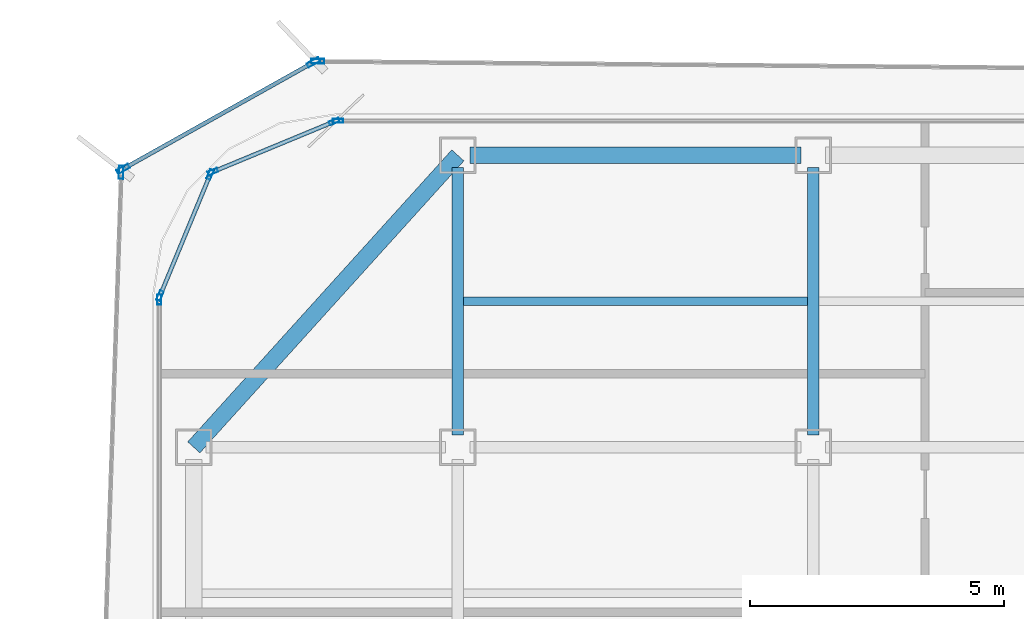
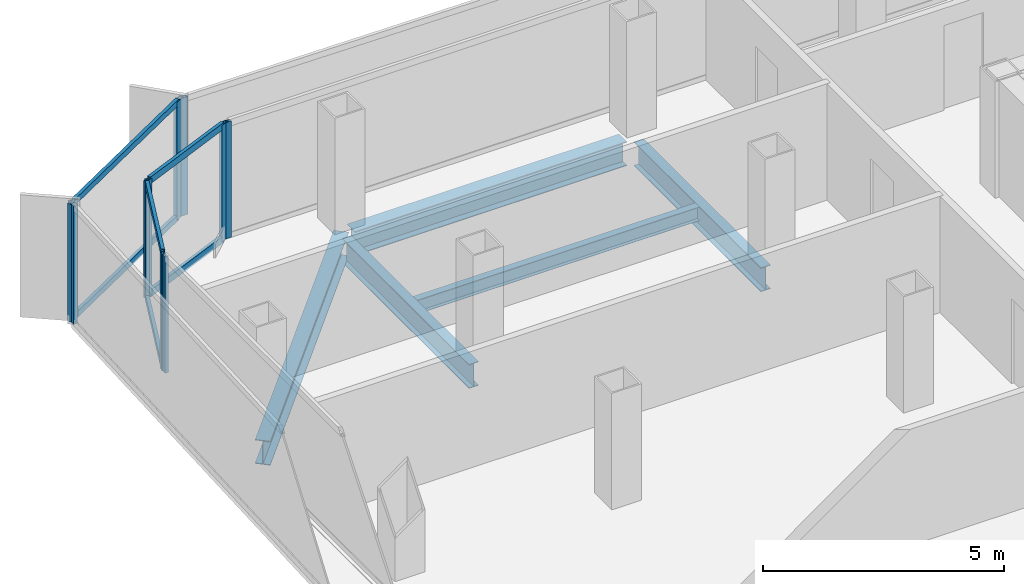
# One storey, part 6 of 15: 16 members, 5 beams, 7 elements without a shape of their own.
"""IFC4 building model written with IfcOpenShell, lengths in metres."""

from ifc_helpers import new_model, si_unit, direction, frame, origin, origin_2d, place, context, subcontext, project, spatial, hollow_rectangle, i_section, extrude, source, transform, mapped, material, layer, layer_set, material_profile, profile_set, type_object, element, aggregate, save


model = new_model("IFC4")

# Units and contexts
model_context = context("Model", 3, precision=1e-05, world=origin(), true_north=direction((0.0, 1.0)))
body_context = subcontext(model_context, "Body", "Model", "MODEL_VIEW")
ifc_project = project(units=[si_unit("LENGTHUNIT", "METRE"), si_unit("AREAUNIT", "SQUARE_METRE"), si_unit("VOLUMEUNIT", "CUBIC_METRE"), si_unit("PLANEANGLEUNIT", "RADIAN"), si_unit("MASSUNIT", "GRAM", prefix="KILO")], contexts=[model_context])

# Site, building, storey
site_placement = place(None, origin())
site = spatial("IfcSite", under=ifc_project, at=site_placement, CompositionType="ELEMENT")
building_placement = place(site_placement, origin())
building = spatial("IfcBuilding", under=site, at=building_placement, Name="Kolveth Station Tower", CompositionType="ELEMENT")
storey_placement = place(building_placement, frame((0.0, 0.0, 165.699951171875)))
storey = spatial("IfcBuildingStorey", under=building, at=storey_placement, Name="L46", CompositionType="ELEMENT", Elevation=165.699951171875)

# Beams
ifc_material_1 = material(Name="Steel S355", Category="steel")
ifc_material_profile_1 = material_profile(ifc_material_1, i_section(OverallWidth=0.323974609375, OverallDepth=0.611083984375, WebThickness=0.0126953125, FlangeThickness=0.01904296875, at=origin_2d()), Name="W610x155")
ifc_profile_set_1 = profile_set([ifc_material_profile_1], Name="Steel S355")
beam_type_1 = type_object("IfcBeamType", Name="Beam_SP2", PredefinedType="SPANDREL", material=ifc_profile_set_1)
shared_shape_1 = source(origin(), body_context, "Body", "SweptSolid", [
    extrude(i_section(OverallWidth=0.323974609375, OverallDepth=0.611083984375, WebThickness=0.0126953125, FlangeThickness=0.01904296875, at=origin_2d()), origin(), (0.0, 0.0, 1.0), 7.75244140625),
])
beam_1_placement = place(storey_placement, frame((6.0, 34.5, -0.555419921875), z_axis=(-0.670740965555, -0.74169168603, 0.0), x_axis=(0.74169168603, -0.670740965555, 0.0)))
element("IfcBeam", 1, at=beam_1_placement, inside=storey, type_object=beam_type_1, Name="L46 Corner Edge Girder BM-L46-CNR-NW", PredefinedType="SPANDREL", context=body_context, shape_type="MappedRepresentation", body=[
    mapped(shared_shape_1, transform((0.0, 0.0, 0.0), x_axis=(1.0, 0.0, 0.0), y_axis=(0.0, 1.0, 0.0), z_axis=(0.0, 0.0, 1.0), scale=1.0)),
])
shared_shape_2 = source(origin(), body_context, "Body", "SweptSolid", [
    extrude(i_section(OverallWidth=0.323974609375, OverallDepth=0.611083984375, WebThickness=0.0126953125, FlangeThickness=0.01904296875, at=origin_2d()), origin(), (0.0, 0.0, 1.0), 6.52001953125),
])
beam_2_placement = place(storey_placement, frame((6.239990234375, 34.5, -0.555419921875), z_axis=(1.0, 0.0, 0.0), x_axis=(0.0, 1.0, 0.0)))
element("IfcBeam", 2, at=beam_2_placement, inside=storey, type_object=beam_type_1, Name="L46 Perimeter Spandrel BM-L46-PN-1", PredefinedType="SPANDREL", context=body_context, shape_type="MappedRepresentation", body=[
    mapped(shared_shape_2, transform((0.0, 0.0, 0.0), x_axis=(1.0, 0.0, 0.0), y_axis=(0.0, 1.0, 0.0), z_axis=(0.0, 0.0, 1.0), scale=1.0)),
])
ifc_material_profile_2 = material_profile(ifc_material_1, i_section(OverallWidth=0.22900390625, OverallDepth=0.612060546875, WebThickness=0.011962890625, FlangeThickness=0.01953125, at=origin_2d()), Name="W610x125")
ifc_profile_set_2 = profile_set([ifc_material_profile_2], Name="Steel S355")
beam_type_2 = type_object("IfcBeamType", Name="Beam_B5", PredefinedType="BEAM", material=ifc_profile_set_2)
shared_shape_3 = source(origin(), body_context, "Body", "SweptSolid", [
    extrude(i_section(OverallWidth=0.22900390625, OverallDepth=0.612060546875, WebThickness=0.011962890625, FlangeThickness=0.01953125, at=origin_2d()), origin(), (0.0, 0.0, 1.0), 5.27001953125),
])
for number, where, z_axis, x_axis, name in (
    (3, (6.0, 28.989990234375, -0.555908203125), (0.0, 1.0, 0.0), (-1.0, 0.0, 0.0), "L46 Primary Girder BM-L46-GX60-6"),
    (4, (13.0, 28.989990234375, -0.555908203125), (0.0, 1.0, 0.0), (-1.0, 0.0, 0.0), "L46 Primary Girder BM-L46-GX130-6"),
):
    element("IfcBeam", number, at=place(storey_placement, frame(where, z_axis=z_axis, x_axis=x_axis)), inside=storey, type_object=beam_type_2, Name=name, PredefinedType="BEAM", context=body_context, shape_type="MappedRepresentation", body=[
        mapped(shared_shape_3, transform((0.0, 0.0, 0.0), x_axis=(1.0, 0.0, 0.0), y_axis=(0.0, 1.0, 0.0), z_axis=(0.0, 0.0, 1.0), scale=1.0)),
    ])
ifc_material_profile_3 = material_profile(ifc_material_1, i_section(OverallWidth=0.1708984375, OverallDepth=0.35205078125, WebThickness=0.0068359375, FlangeThickness=0.009765625, at=origin_2d()), Name="W360x44")
ifc_profile_set_3 = profile_set([ifc_material_profile_3], Name="Steel S355")
beam_type_3 = type_object("IfcBeamType", Name="Beam_J2", PredefinedType="JOIST", material=ifc_profile_set_3)
shared_shape_4 = source(origin(), body_context, "Body", "SweptSolid", [
    extrude(i_section(OverallWidth=0.1708984375, OverallDepth=0.35205078125, WebThickness=0.0068359375, FlangeThickness=0.009765625, at=origin_2d()), origin(), (0.0, 0.0, 1.0), 6.77490234375),
])
beam_3_placement = place(storey_placement, frame((6.112548828125, 31.625, -0.426025390625), z_axis=(1.0, 0.0, 0.0), x_axis=(0.0, 1.0, 0.0)))
element("IfcBeam", 5, at=beam_3_placement, inside=storey, type_object=beam_type_3, Name="L46 Secondary Joist JST-L46-2-6", PredefinedType="JOIST", context=body_context, shape_type="MappedRepresentation", body=[
    mapped(shared_shape_4, transform((0.0, 0.0, 0.0), x_axis=(1.0, 0.0, 0.0), y_axis=(0.0, 1.0, 0.0), z_axis=(0.0, 0.0, 1.0), scale=1.0)),
])

# Curtain wall, member
ifc_material_2 = material(Name="Aluminium 6063-T6 and low-E dark glass", Category="aluminium")
ifc_layer_1 = layer(ifc_material_2, 0.18994140625)
ifc_layer_set_1 = layer_set([ifc_layer_1], Name="Aluminium 6063-T6 and low-E dark glass")
curtain_wall_type_1 = type_object("IfcCurtainWallType", Name="CurtainWall_CW-Z2", PredefinedType="NOTDEFINED", material=ifc_layer_set_1)
curtain_wall_1_placement = place(storey_placement, origin())
curtain_wall_1 = element("IfcCurtainWall", 6, at=curtain_wall_1_placement, inside=storey, type_object=curtain_wall_type_1, Name="L46 Inner Thermal Curtain Wall 6", PredefinedType="NOTDEFINED")
ifc_material_3 = material(Name="Black anodized aluminium 6063-T6", Category="aluminium")
ifc_material_profile_4 = material_profile(ifc_material_3, hollow_rectangle(XDim=0.080078125, YDim=0.199951171875, WallThickness=0.0048828125, at=origin_2d()), Name="ALU-80x200x5")
ifc_profile_set_4 = profile_set([ifc_material_profile_4], Name="Black anodized aluminium 6063-T6")
member_type_1 = type_object("IfcMemberType", Name="Mullion_ML2", PredefinedType="MULLION", material=ifc_profile_set_4)
shared_shape_5 = source(origin(), body_context, "Body", "SweptSolid", [
    extrude(hollow_rectangle(XDim=0.080078125, YDim=0.199951171875, WallThickness=0.0048828125, at=origin_2d()), origin(), (0.0, 0.0, 1.0), 2.949951171875),
])
member_1_placement = place(storey_placement, frame((3.639892578125, 35.179931640625, 0.0), z_axis=(0.0, 0.0, 1.0), x_axis=(0.0, -1.0, 0.0)))
member_1 = element("IfcMember", 7, at=member_1_placement, type_object=member_type_1, Name="CW-Z2 mullion 2", PredefinedType="MULLION", context=body_context, shape_type="MappedRepresentation", body=[
    mapped(shared_shape_5, transform((0.0, 0.0, 0.0), x_axis=(1.0, 0.0, 0.0), y_axis=(0.0, 1.0, 0.0), z_axis=(0.0, 0.0, 1.0), scale=1.0)),
])
aggregate(curtain_wall_1, [member_1])

# Curtain wall, members
curtain_wall_2_placement = place(storey_placement, origin())
curtain_wall_2 = element("IfcCurtainWall", 8, at=curtain_wall_2_placement, inside=storey, type_object=curtain_wall_type_1, Name="L46 Inner Thermal Curtain Wall 7", PredefinedType="NOTDEFINED")
member_2_placement = place(storey_placement, frame((3.56298828125, 35.164794921875, 0.0), z_axis=(0.0, 0.0, 1.0), x_axis=(0.382697753087, -0.923873600544, 0.0)))
member_2 = element("IfcMember", 9, at=member_2_placement, type_object=member_type_1, Name="CW-Z2 mullion 1", PredefinedType="MULLION", context=body_context, shape_type="MappedRepresentation", body=[
    mapped(shared_shape_5, transform((0.0, 0.0, 0.0), x_axis=(1.0, 0.0, 0.0), y_axis=(0.0, 1.0, 0.0), z_axis=(0.0, 0.0, 1.0), scale=1.0)),
])
member_3_placement = place(storey_placement, frame((1.17626953125, 34.176025390625, 0.0), z_axis=(0.0, 0.0, 1.0), x_axis=(0.382697753087, -0.923873600544, 0.0)))
member_3 = element("IfcMember", 10, at=member_3_placement, type_object=member_type_1, Name="CW-Z2 mullion 2", PredefinedType="MULLION", context=body_context, shape_type="MappedRepresentation", body=[
    mapped(shared_shape_5, transform((0.0, 0.0, 0.0), x_axis=(1.0, 0.0, 0.0), y_axis=(0.0, 1.0, 0.0), z_axis=(0.0, 0.0, 1.0), scale=1.0)),
])

curtain_wall_3_placement = place(storey_placement, origin())
curtain_wall_3 = element("IfcCurtainWall", 11, at=curtain_wall_3_placement, inside=storey, type_object=curtain_wall_type_1, Name="L46 Inner Thermal Curtain Wall 8", PredefinedType="NOTDEFINED")
member_4_placement = place(storey_placement, frame((1.1240234375, 34.123779296875, 0.0), z_axis=(0.0, 0.0, 1.0), x_axis=(0.923873600544, -0.382697753087, 0.0)))
member_4 = element("IfcMember", 12, at=member_4_placement, type_object=member_type_1, Name="CW-Z2 mullion 1", PredefinedType="MULLION", context=body_context, shape_type="MappedRepresentation", body=[
    mapped(shared_shape_5, transform((0.0, 0.0, 0.0), x_axis=(1.0, 0.0, 0.0), y_axis=(0.0, 1.0, 0.0), z_axis=(0.0, 0.0, 1.0), scale=1.0)),
])
member_5_placement = place(storey_placement, frame((0.13525390625, 31.737060546875, 0.0), z_axis=(0.0, 0.0, 1.0), x_axis=(0.923873600544, -0.382697753087, 0.0)))
member_5 = element("IfcMember", 13, at=member_5_placement, type_object=member_type_1, Name="CW-Z2 mullion 2", PredefinedType="MULLION", context=body_context, shape_type="MappedRepresentation", body=[
    mapped(shared_shape_5, transform((0.0, 0.0, 0.0), x_axis=(1.0, 0.0, 0.0), y_axis=(0.0, 1.0, 0.0), z_axis=(0.0, 0.0, 1.0), scale=1.0)),
])

# Curtain wall, member
curtain_wall_4_placement = place(storey_placement, origin())
curtain_wall_4 = element("IfcCurtainWall", 14, at=curtain_wall_4_placement, inside=storey, type_object=curtain_wall_type_1, Name="L46 Inner Thermal Curtain Wall 9", PredefinedType="NOTDEFINED")
member_6_placement = place(storey_placement, frame((0.1201171875, 31.659912109375, 0.0), z_axis=(0.0, 0.0, 1.0), x_axis=(1.0, 0.0, 0.0)))
member_6 = element("IfcMember", 15, at=member_6_placement, type_object=member_type_1, Name="CW-Z2 mullion 1", PredefinedType="MULLION", context=body_context, shape_type="MappedRepresentation", body=[
    mapped(shared_shape_5, transform((0.0, 0.0, 0.0), x_axis=(1.0, 0.0, 0.0), y_axis=(0.0, 1.0, 0.0), z_axis=(0.0, 0.0, 1.0), scale=1.0)),
])
aggregate(curtain_wall_4, [member_6])

ifc_material_4 = material(Name="Black anodized aluminium 6063-T6 and dark solar glass", Category="aluminium")
ifc_layer_2 = layer(ifc_material_4, 0.159912109375)
ifc_layer_set_2 = layer_set([ifc_layer_2], Name="Black anodized aluminium 6063-T6 and dark solar glass")
curtain_wall_type_2 = type_object("IfcCurtainWallType", Name="OUTER SKIN CW-OS", PredefinedType="NOTDEFINED", material=ifc_layer_set_2)
curtain_wall_5_placement = place(storey_placement, origin())
curtain_wall_5 = element("IfcCurtainWall", 16, at=curtain_wall_5_placement, inside=storey, type_object=curtain_wall_type_2, Name="L46 Outer Ventilated Skin Curtain Wall 4", PredefinedType="NOTDEFINED")
ifc_material_profile_5 = material_profile(ifc_material_3, hollow_rectangle(XDim=0.090087890625, YDim=0.260009765625, WallThickness=0.0048828125, at=origin_2d()), Name="ALU-90x260x5")
ifc_profile_set_5 = profile_set([ifc_material_profile_5], Name="Black anodized aluminium 6063-T6")
member_type_2 = type_object("IfcMemberType", Name="FIN MULLION ML-OS", PredefinedType="MULLION", material=ifc_profile_set_5)
shared_shape_6 = source(origin(), body_context, "Body", "SweptSolid", [
    extrude(hollow_rectangle(XDim=0.090087890625, YDim=0.260009765625, WallThickness=0.0048828125, at=origin_2d()), origin(), (0.0, 0.0, 1.0), 2.989990234375),
])
member_7_placement = place(storey_placement, frame((3.239990234375, 36.35400390625, 0.0), z_axis=(0.0, 0.0, 1.0), x_axis=(-0.008960508835, -0.999959853835, 0.0)))
member_7 = element("IfcMember", 17, at=member_7_placement, type_object=member_type_2, Name="CW-OS mullion 2", PredefinedType="MULLION", context=body_context, shape_type="MappedRepresentation", body=[
    mapped(shared_shape_6, transform((0.0, 0.0, 0.0), x_axis=(1.0, 0.0, 0.0), y_axis=(0.0, 1.0, 0.0), z_axis=(0.0, 0.0, 1.0), scale=1.0)),
])
aggregate(curtain_wall_5, [member_7])

# Curtain wall, members
curtain_wall_6_placement = place(storey_placement, origin())
curtain_wall_6 = element("IfcCurtainWall", 18, at=curtain_wall_6_placement, inside=storey, type_object=curtain_wall_type_2, Name="L46 Outer Ventilated Skin Curtain Wall 5", PredefinedType="NOTDEFINED")
member_8_placement = place(storey_placement, frame((3.15576171875, 36.33251953125, 0.0), z_axis=(0.0, 0.0, 1.0), x_axis=(0.488851956177, -0.872366760567, 0.0)))
member_8 = element("IfcMember", 19, at=member_8_placement, type_object=member_type_2, Name="CW-OS mullion 1", PredefinedType="MULLION", context=body_context, shape_type="MappedRepresentation", body=[
    mapped(shared_shape_6, transform((0.0, 0.0, 0.0), x_axis=(1.0, 0.0, 0.0), y_axis=(0.0, 1.0, 0.0), z_axis=(0.0, 0.0, 1.0), scale=1.0)),
])
member_9_placement = place(storey_placement, frame((-0.591064453125, 34.23291015625, 0.0), z_axis=(0.0, 0.0, 1.0), x_axis=(0.488851956177, -0.872366760567, 0.0)))
member_9 = element("IfcMember", 20, at=member_9_placement, type_object=member_type_2, Name="CW-OS mullion 2", PredefinedType="MULLION", context=body_context, shape_type="MappedRepresentation", body=[
    mapped(shared_shape_6, transform((0.0, 0.0, 0.0), x_axis=(1.0, 0.0, 0.0), y_axis=(0.0, 1.0, 0.0), z_axis=(0.0, 0.0, 1.0), scale=1.0)),
])

# Curtain wall, member
curtain_wall_7_placement = place(storey_placement, origin())
curtain_wall_7 = element("IfcCurtainWall", 21, at=curtain_wall_7_placement, inside=storey, type_object=curtain_wall_type_2, Name="L46 Outer Ventilated Skin Curtain Wall 6", PredefinedType="NOTDEFINED")
member_10_placement = place(storey_placement, frame((-0.6318359375, 34.166015625, 0.0), z_axis=(0.0, 0.0, 1.0), x_axis=(0.999414374524, -0.034218532929, 0.0)))
member_10 = element("IfcMember", 22, at=member_10_placement, type_object=member_type_2, Name="CW-OS mullion 1", PredefinedType="MULLION", context=body_context, shape_type="MappedRepresentation", body=[
    mapped(shared_shape_6, transform((0.0, 0.0, 0.0), x_axis=(1.0, 0.0, 0.0), y_axis=(0.0, 1.0, 0.0), z_axis=(0.0, 0.0, 1.0), scale=1.0)),
])
aggregate(curtain_wall_7, [member_10])

# Member
ifc_material_profile_6 = material_profile(ifc_material_3, hollow_rectangle(XDim=0.080078125, YDim=0.169921875, WallThickness=0.0048828125, at=origin_2d()), Name="ALU-80x170x5")
ifc_profile_set_6 = profile_set([ifc_material_profile_6], Name="Black anodized aluminium 6063-T6")
member_type_3 = type_object("IfcMemberType", Name="Transom_TR2", PredefinedType="USERDEFINED", material=ifc_profile_set_6)
shared_shape_7 = source(origin(), body_context, "Body", "SweptSolid", [
    extrude(hollow_rectangle(XDim=0.080078125, YDim=0.169921875, WallThickness=0.0048828125, at=origin_2d()), origin(), (0.0, 0.0, 1.0), 2.50341796875),
])
member_11_placement = place(storey_placement, frame((3.526123046875, 35.1494140625, 0.0400390625), z_axis=(-0.923888472039, -0.382661849723, 0.0), x_axis=(0.382661849723, -0.923888472039, 0.0)))
member_11 = element("IfcMember", 23, at=member_11_placement, type_object=member_type_3, Name="CW-Z2 transom 1.1", ObjectType="TRANSOM", PredefinedType="USERDEFINED", context=body_context, shape_type="MappedRepresentation", body=[
    mapped(shared_shape_7, transform((0.0, 0.0, 0.0), x_axis=(1.0, 0.0, 0.0), y_axis=(0.0, 1.0, 0.0), z_axis=(0.0, 0.0, 1.0), scale=1.0)),
])

member_12_placement = place(storey_placement, frame((3.526123046875, 35.1494140625, 2.91015625), z_axis=(-0.923888472039, -0.382661849723, 0.0), x_axis=(0.382661849723, -0.923888472039, 0.0)))
member_12 = element("IfcMember", 24, at=member_12_placement, type_object=member_type_3, Name="CW-Z2 transom 1.2", ObjectType="TRANSOM", PredefinedType="USERDEFINED", context=body_context, shape_type="MappedRepresentation", body=[
    mapped(shared_shape_7, transform((0.0, 0.0, 0.0), x_axis=(1.0, 0.0, 0.0), y_axis=(0.0, 1.0, 0.0), z_axis=(0.0, 0.0, 1.0), scale=1.0)),
])

aggregate(curtain_wall_2, [member_2, member_3, member_11, member_12])

member_13_placement = place(storey_placement, frame((1.108642578125, 34.086669921875, 0.0400390625), z_axis=(-0.382696328882, -0.923874190494, 0.0), x_axis=(0.923874190494, -0.382696328882, 0.0)))
member_13 = element("IfcMember", 25, at=member_13_placement, type_object=member_type_3, Name="CW-Z2 transom 1.1", ObjectType="TRANSOM", PredefinedType="USERDEFINED", context=body_context, shape_type="MappedRepresentation", body=[
    mapped(shared_shape_7, transform((0.0, 0.0, 0.0), x_axis=(1.0, 0.0, 0.0), y_axis=(0.0, 1.0, 0.0), z_axis=(0.0, 0.0, 1.0), scale=1.0)),
])

member_14_placement = place(storey_placement, frame((1.108642578125, 34.086669921875, 2.91015625), z_axis=(-0.382696328882, -0.923874190494, 0.0), x_axis=(0.923874190494, -0.382696328882, 0.0)))
member_14 = element("IfcMember", 26, at=member_14_placement, type_object=member_type_3, Name="CW-Z2 transom 1.2", ObjectType="TRANSOM", PredefinedType="USERDEFINED", context=body_context, shape_type="MappedRepresentation", body=[
    mapped(shared_shape_7, transform((0.0, 0.0, 0.0), x_axis=(1.0, 0.0, 0.0), y_axis=(0.0, 1.0, 0.0), z_axis=(0.0, 0.0, 1.0), scale=1.0)),
])

aggregate(curtain_wall_3, [member_4, member_5, member_13, member_14])

ifc_material_profile_7 = material_profile(ifc_material_3, hollow_rectangle(XDim=0.080078125, YDim=0.14990234375, WallThickness=0.0048828125, at=origin_2d()), Name="ALU-80x150x5")
ifc_profile_set_7 = profile_set([ifc_material_profile_7], Name="Black anodized aluminium 6063-T6")
member_type_4 = type_object("IfcMemberType", Name="Transom_TR-OS", PredefinedType="USERDEFINED", material=ifc_profile_set_7)
shared_shape_8 = source(origin(), body_context, "Body", "SweptSolid", [
    extrude(hollow_rectangle(XDim=0.080078125, YDim=0.14990234375, WallThickness=0.0048828125, at=origin_2d()), origin(), (0.0, 0.0, 1.0), 4.205078125),
])
member_15_placement = place(storey_placement, frame((3.116455078125, 36.310546875, 0.0400390625), z_axis=(-0.872371340438, -0.488843783209, 0.0), x_axis=(0.488843783209, -0.872371340438, 0.0)))
member_15 = element("IfcMember", 27, at=member_15_placement, type_object=member_type_4, Name="CW-OS transom 1.1", ObjectType="TRANSOM", PredefinedType="USERDEFINED", context=body_context, shape_type="MappedRepresentation", body=[
    mapped(shared_shape_8, transform((0.0, 0.0, 0.0), x_axis=(1.0, 0.0, 0.0), y_axis=(0.0, 1.0, 0.0), z_axis=(0.0, 0.0, 1.0), scale=1.0)),
])

member_16_placement = place(storey_placement, frame((3.116455078125, 36.310546875, 2.949951171875), z_axis=(-0.872371340438, -0.488843783209, 0.0), x_axis=(0.488843783209, -0.872371340438, 0.0)))
member_16 = element("IfcMember", 28, at=member_16_placement, type_object=member_type_4, Name="CW-OS transom 1.2", ObjectType="TRANSOM", PredefinedType="USERDEFINED", context=body_context, shape_type="MappedRepresentation", body=[
    mapped(shared_shape_8, transform((0.0, 0.0, 0.0), x_axis=(1.0, 0.0, 0.0), y_axis=(0.0, 1.0, 0.0), z_axis=(0.0, 0.0, 1.0), scale=1.0)),
])

aggregate(curtain_wall_6, [member_8, member_9, member_15, member_16])

save(model, "model.ifc")
